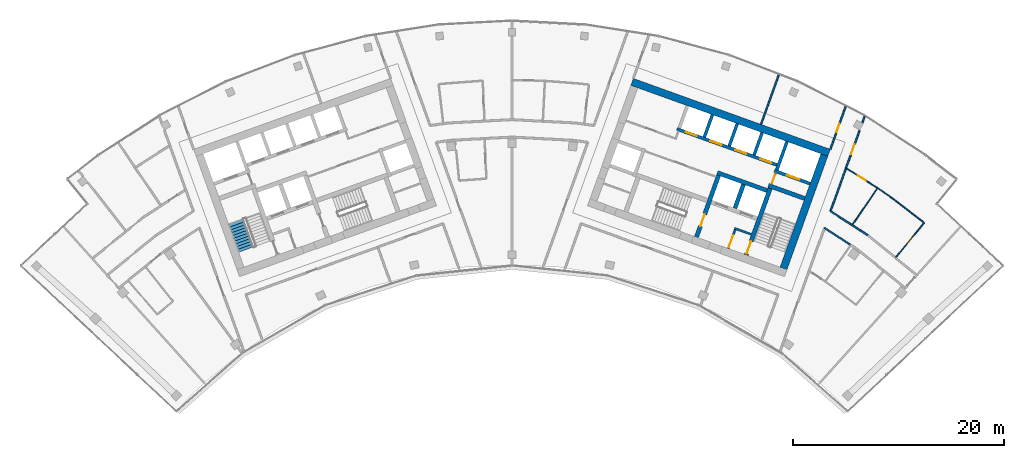
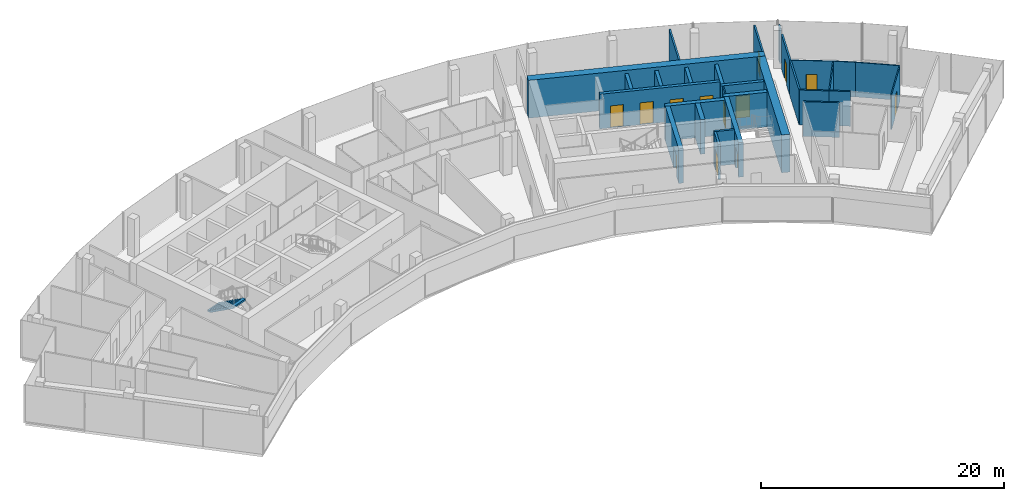
# One storey, part 16 of 18: 29 walls, 13 doors, 1 stair flight, 13 openings, 1 element without a shape of its own.
"""IFC4 building model written with IfcOpenShell, lengths in metres."""

import ifcopenshell
import ifcopenshell.guid

model = None  # the IFC model being written
_history = None  # IfcOwnerHistory: only IFC2X3 demands one
_inside = {}  # id of a spatial element -> (the spatial element, [elements in it])
_under = {}  # id of a project, library or spatial element -> (it, [spatial elements below it])
_declared = {}  # id of a project -> (the project, [libraries it declares])
_typed = {}  # id of a type object -> (the type object, [elements of that type])
_made_of = {}  # id of a material, layer set ... -> (it, [elements and type objects made of it])


def new_model(schema):
    """Start an empty IFC model of exactly this schema.

    Asked for "IFC4X3", IfcOpenShell would pick the latest addendum, in which some entities
    have other attributes; the version numbers below select the first issue.
    IFC2X3 requires an IfcOwnerHistory on every rooted entity: one is made here for all.
    """
    global model, _history
    if schema == "IFC4X3":
        model = ifcopenshell.file(schema_version=(4, 3, 0, 0))
    else:
        model = ifcopenshell.file(schema=schema)
    _inside.clear()
    _under.clear()
    _declared.clear()
    _typed.clear()
    _made_of.clear()
    _history = None
    if model.schema == "IFC2X3":
        org = make("IfcOrganization", Name="unknown")
        user = make(
            "IfcPersonAndOrganization",
            ThePerson=make("IfcPerson", FamilyName="unknown"),
            TheOrganization=org,
        )
        app = make(
            "IfcApplication",
            ApplicationDeveloper=org,
            Version="unknown",
            ApplicationFullName="unknown",
            ApplicationIdentifier="unknown",
        )
        _history = make(
            "IfcOwnerHistory",
            OwningUser=user,
            OwningApplication=app,
            ChangeAction="ADDED",
            CreationDate=0,
        )
    return model


def make(cls, **values):
    """One entity of the class cls with the attributes given. An attribute that is None is left unset."""
    return model.create_entity(
        cls, **{name: value for name, value in values.items() if value is not None}
    )


def rooted(cls, **values):
    """An entity with a GlobalId (a new one), such as an element, a storey or a relation."""
    return make(cls, GlobalId=ifcopenshell.guid.new(), OwnerHistory=_history, **values)


def si_unit(unit_type, name, prefix=None):
    """IfcSIUnit, for example si_unit("LENGTHUNIT", "METRE", prefix="MILLI")."""
    return make("IfcSIUnit", UnitType=unit_type, Prefix=prefix, Name=name)


def assignment(units):
    """IfcUnitAssignment: the units of a project."""
    return None if units is None else make("IfcUnitAssignment", Units=units)


def point(xyz):
    """IfcCartesianPoint."""
    return None if xyz is None else make("IfcCartesianPoint", Coordinates=xyz)


def direction(xyz):
    """IfcDirection."""
    return None if xyz is None else make("IfcDirection", DirectionRatios=xyz)


def frame(location, z_axis=None, x_axis=None):
    """IfcAxis2Placement3D, a coordinate frame: its origin and axes. An axis left out is left unset."""
    return make(
        "IfcAxis2Placement3D",
        Location=point(location),
        Axis=direction(z_axis),
        RefDirection=direction(x_axis),
    )


def frame_2d(location, x_axis=None):
    """IfcAxis2Placement2D, a coordinate frame in the plane: its origin and x axis."""
    return make(
        "IfcAxis2Placement2D", Location=point(location), RefDirection=direction(x_axis)
    )


def origin():
    """The frame at (0, 0, 0) with its axes left unset."""
    return frame((0.0, 0.0, 0.0))


def place(relative_to, where):
    """IfcLocalPlacement: puts the frame where relative to a parent placement (None: the world)."""
    return make(
        "IfcLocalPlacement", PlacementRelTo=relative_to, RelativePlacement=where
    )


def context(
    kind, dimensions, precision=None, world=None, true_north=None, identifier=None
):
    """IfcGeometricRepresentationContext, for example the 3D "Model" context."""
    return make(
        "IfcGeometricRepresentationContext",
        ContextIdentifier=identifier,
        ContextType=kind,
        CoordinateSpaceDimension=dimensions,
        Precision=precision,
        WorldCoordinateSystem=world,
        TrueNorth=true_north,
    )


def subcontext(parent, identifier, kind, view, scale=None):
    """IfcGeometricRepresentationSubContext, for example "Body" below "Model"."""
    return make(
        "IfcGeometricRepresentationSubContext",
        ContextIdentifier=identifier,
        ContextType=kind,
        ParentContext=parent,
        TargetScale=scale,
        TargetView=view,
    )


def project(units=None, contexts=None):
    """IfcProject with its units and contexts."""
    return rooted(
        "IfcProject",
        Name="project",
        RepresentationContexts=contexts,
        UnitsInContext=assignment(units),
    )


def spatial(cls, under=None, at=None, **own):
    """A site, building, storey or space (cls), placed at a placement, below another one or the project."""
    s = rooted(cls, ObjectPlacement=at, **own)
    if under is not None:
        _under.setdefault(under.id(), (under, []))[1].append(s)
    return s


def polyline(points):
    """IfcPolyline through the points."""
    return make("IfcPolyline", Points=[point(p) for p in points])


def profile(cls, at=None, kind="AREA", **sizes):
    """A parametric profile (cls). Its sizes go by their IFC names, for example OverallWidth=200.0."""
    return make(cls, ProfileType=kind, Position=at, **sizes)


def rectangle(**sizes):
    """IfcRectangleProfileDef."""
    return profile("IfcRectangleProfileDef", **sizes)


def outline(outer, holes=None, kind="AREA"):
    """IfcArbitraryClosedProfileDef: a profile drawn as a closed curve; with holes, ...WithVoids."""
    if holes is None:
        return make("IfcArbitraryClosedProfileDef", ProfileType=kind, OuterCurve=outer)
    return make(
        "IfcArbitraryProfileDefWithVoids",
        ProfileType=kind,
        OuterCurve=outer,
        InnerCurves=holes,
    )


def extrude(swept, where, along, depth):
    """IfcExtrudedAreaSolid: the profile swept, set in the frame where, extruded along a direction by depth."""
    return make(
        "IfcExtrudedAreaSolid",
        SweptArea=swept,
        Position=where,
        ExtrudedDirection=direction(along),
        Depth=depth,
    )


def shape(context_of_items, identifier, shape_type, items):
    """IfcShapeRepresentation: the items that make up one representation, for example the "Body"."""
    return make(
        "IfcShapeRepresentation",
        ContextOfItems=context_of_items,
        RepresentationIdentifier=identifier,
        RepresentationType=shape_type,
        Items=items,
    )


def material(Name=None, Category=None):
    """IfcMaterial."""
    return make("IfcMaterial", Name=Name, Category=Category)


def layer(
    of_material, thickness, ventilated=None, Name=None, Category=None, Priority=None
):
    """IfcMaterialLayer: one layer of a wall or slab, of a material (None: an air gap)."""
    return make(
        "IfcMaterialLayer",
        Material=of_material,
        LayerThickness=thickness,
        IsVentilated=ventilated,
        Name=Name,
        Category=Category,
        Priority=Priority,
    )


def layer_set(layers, Name=None):
    """IfcMaterialLayerSet."""
    return make("IfcMaterialLayerSet", MaterialLayers=layers, LayerSetName=Name)


def made_of(thing, what):
    """Note that an element or type object is made of a material, layer set ...; save() writes the relation."""
    if what is not None:
        _made_of.setdefault(what.id(), (what, []))[1].append(thing)
    return thing


def type_object(cls, material=None, **own):
    """A type object (cls), such as IfcWallType, which elements share."""
    return made_of(rooted(cls, **own), material)


def element(
    cls,
    number,
    at=None,
    inside=None,
    cuts=None,
    type_object=None,
    material=None,
    context=None,
    identifier="Body",
    shape_type=None,
    held_by="IfcProductDefinitionShape",
    body=None,
    shapes=None,
    **own,
):
    """One element of the class cls, such as IfcWall. Its Tag is "e" and its number.

    at: its placement. inside: the storey or other place that contains it. cuts: it is an
    opening in that element (IfcRelVoidsElement). A single representation is given by context,
    identifier, shape_type and body (its items); several are given by shapes. held_by: the class
    of the entity that holds the representations. save() writes the other relations.
    """
    e = rooted(cls, Tag="e%d" % number, ObjectPlacement=at, **own)
    if body is not None:
        shapes = [shape(context, identifier, shape_type, body)]
    if shapes is not None:
        e.Representation = make(held_by, Representations=shapes)
    if inside is not None:
        _inside.setdefault(inside.id(), (inside, []))[1].append(e)
    if cuts is not None:
        rooted(
            "IfcRelVoidsElement", RelatingBuildingElement=cuts, RelatedOpeningElement=e
        )
    if type_object is not None:
        _typed.setdefault(type_object.id(), (type_object, []))[1].append(e)
    return made_of(e, material)


def fill(opening, filler):
    """IfcRelFillsElement: the door or window that sits in an opening."""
    return rooted(
        "IfcRelFillsElement",
        RelatingOpeningElement=opening,
        RelatedBuildingElement=filler,
    )


def aggregate(whole, parts):
    """IfcRelAggregates: a whole, such as a stair, and the parts it consists of."""
    return rooted("IfcRelAggregates", RelatingObject=whole, RelatedObjects=parts)


def save(model, path):
    """Write the relations noted so far, then the file.

    IfcRelAggregates (storeys below a building ...), IfcRelContainedInSpatialStructure (elements
    in a storey), IfcRelDefinesByType, IfcRelAssociatesMaterial and IfcRelDeclares: one each for
    every whole, place, type object, material and project.
    """
    for whole, parts in _under.values():
        aggregate(whole, parts)
    for where, things in _inside.values():
        rooted(
            "IfcRelContainedInSpatialStructure",
            RelatedElements=things,
            RelatingStructure=where,
        )
    for kind, things in _typed.values():
        rooted("IfcRelDefinesByType", RelatedObjects=things, RelatingType=kind)
    for what, things in _made_of.values():
        rooted("IfcRelAssociatesMaterial", RelatedObjects=things, RelatingMaterial=what)
    for by, libraries in _declared.values():
        rooted("IfcRelDeclares", RelatingContext=by, RelatedDefinitions=libraries)
    model.write(path)


model = new_model("IFC4")

# Units and contexts
model_context = context("Model", 3, precision=1e-05, world=origin(), true_north=direction((0.0, 1.0)))
body_context = subcontext(model_context, "Body", "Model", "MODEL_VIEW")
ifc_project = project(units=[si_unit("LENGTHUNIT", "METRE"), si_unit("AREAUNIT", "SQUARE_METRE"), si_unit("VOLUMEUNIT", "CUBIC_METRE"), si_unit("PLANEANGLEUNIT", "RADIAN"), si_unit("MASSUNIT", "GRAM", prefix="KILO")], contexts=[model_context])

# Site, building, storey
site_placement = place(None, origin())
site = spatial("IfcSite", under=ifc_project, at=site_placement, CompositionType="ELEMENT")
building_placement = place(site_placement, origin())
building = spatial("IfcBuilding", under=site, at=building_placement, Name="Stone Belt Terrace Tower", CompositionType="ELEMENT")
storey_placement = place(building_placement, frame((0.0, 0.0, 284.60009765625)))
storey = spatial("IfcBuildingStorey", under=building, at=storey_placement, Name="L69", CompositionType="ELEMENT", Elevation=284.60009765625)

# Wall, opening, door
ifc_material_1 = material(Name="Plasterboard partition")
ifc_layer_1 = layer(ifc_material_1, 0.10009765625)
ifc_layer_set_1 = layer_set([ifc_layer_1], Name="Core partition 100")
wall_type_1 = type_object("IfcWallType", Name="Core partition 100", PredefinedType="PARTITIONING", material=ifc_layer_set_1)
wall_1_placement = place(storey_placement, frame((24.555908203125, 51.10400390625, 0.0), z_axis=(0.0, 0.0, 1.0), x_axis=(0.338621735342, 0.94092258999, 0.0)))
wall_1 = element("IfcWall", 1, at=wall_1_placement, inside=storey, type_object=wall_type_1, Name="Core B wall", PredefinedType="PARTITIONING", context=body_context, shape_type="SweptSolid", body=[
    extrude(rectangle(XDim=1.14990234375, YDim=0.10009765625, at=frame_2d((0.574951171875, 0.0))), origin(), (0.0, 0.0, 1.0), 3.47998046875),
])
opening_1_placement = place(wall_1_placement, frame((0.050048828125, 0.0, 0.0)))
opening_1 = element("IfcOpeningElement", 2, at=opening_1_placement, cuts=wall_1, Name="Opening L69-C14", PredefinedType="OPENING", context=body_context, shape_type="SweptSolid", body=[
    extrude(rectangle(XDim=1.0, YDim=2.10009765625, at=frame_2d((0.5, 1.050048828125))), frame((0.0, 0.06005859375, 0.0), z_axis=(0.0, -1.0, 0.0), x_axis=(1.0, 0.0, 0.0)), (0.0, 0.0, 1.0), 0.1201171875),
])
ifc_material_2 = material(Name="Timber door leaf", Category="wood")
door_type_1 = type_object("IfcDoorType", Name="Core room door 1000", OperationType="SINGLE_SWING_LEFT", PredefinedType="DOOR", material=ifc_material_2)
door_1_placement = place(opening_1_placement, origin())
door_1 = element("IfcDoor", 3, at=door_1_placement, inside=storey, type_object=door_type_1, Name="Service lift lobby door core B", OperationType="SINGLE_SWING_LEFT", OverallHeight=2.10009765625, OverallWidth=1.0, PredefinedType="DOOR", context=body_context, shape_type="SweptSolid", body=[
    extrude(rectangle(XDim=1.0, YDim=2.10009765625, at=frame_2d((0.5, 1.050048828125))), frame((0.0, 0.02490234375, 0.0), z_axis=(0.0, -1.0, 0.0), x_axis=(1.0, 0.0, 0.0)), (0.0, 0.0, 1.0), 0.050048828125),
])
fill(opening_1, door_1)

# Walls
ifc_material_3 = material(Name="Concrete B60", Category="concrete")
ifc_layer_2 = layer(ifc_material_3, 0.699951171875)
ifc_layer_set_2 = layer_set([ifc_layer_2], Name="Core wall 700 B60")
wall_type_2 = type_object("IfcWallType", Name="Core wall 700 B60", PredefinedType="SHEAR", material=ifc_layer_set_2)
wall_2_placement = place(storey_placement, frame((11.35791015625, 60.795654296875, 0.0), z_axis=(0.0, 0.0, 1.0), x_axis=(0.940919787944, -0.33862952124, 0.0)))
element("IfcWall", 4, at=wall_2_placement, inside=storey, type_object=wall_type_2, Name="Core B wall convex L69", PredefinedType="SHEAR", context=body_context, shape_type="SweptSolid", body=[
    extrude(rectangle(XDim=19.7998046875, YDim=0.699951171875, at=frame_2d((9.89990234375, 0.0))), origin(), (0.0, 0.0, 1.0), 3.7998046875),
])
wall_3_placement = place(storey_placement, frame((25.679931640625, 43.153564453125, 0.0), z_axis=(0.0, 0.0, 1.0), x_axis=(0.338625431531, 0.940921259788, 0.0)))
element("IfcWall", 5, at=wall_3_placement, inside=storey, type_object=wall_type_2, Name="Core B wall end_b L69", PredefinedType="SHEAR", context=body_context, shape_type="SweptSolid", body=[
    extrude(rectangle(XDim=11.400146484375, YDim=0.699951171875, at=frame_2d((5.7001953125, 0.0))), origin(), (0.0, 0.0, 1.0), 3.7998046875),
])
ifc_material_4 = material(Name="Concrete B80", Category="concrete")
ifc_layer_3 = layer(ifc_material_4, 0.39990234375)
ifc_layer_set_3 = layer_set([ifc_layer_3], Name="Fire-fighting lift shaft wall 400")
wall_type_3 = type_object("IfcWallType", Name="Fire-fighting lift shaft wall 400", PredefinedType="SHEAR", material=ifc_layer_set_3)
wall_4_placement = place(storey_placement, frame((24.130615234375, 50.512939453125, 0.0), z_axis=(0.0, 0.0, 1.0), x_axis=(-0.94091168377, 0.338652038744, 0.0)))
element("IfcWall", 6, at=wall_4_placement, inside=storey, type_object=wall_type_3, Name="Core B wall", PredefinedType="SHEAR", context=body_context, shape_type="SweptSolid", body=[
    extrude(rectangle(XDim=5.000244140625, YDim=0.39990234375, at=frame_2d((2.5, 0.0))), origin(), (0.0, 0.0, 1.0), 3.47998046875),
])
wall_5_placement = place(storey_placement, frame((21.0859375, 48.845458984375, 0.0), z_axis=(0.0, 0.0, 1.0), x_axis=(0.338629416206, 0.940919825745, 0.0)))
element("IfcWall", 7, at=wall_5_placement, inside=storey, type_object=wall_type_3, Name="Core B wall", PredefinedType="SHEAR", context=body_context, shape_type="SweptSolid", body=[
    extrude(rectangle(XDim=2.400146484375, YDim=0.39990234375, at=frame_2d((1.2001953125, 0.0))), origin(), (0.0, 0.0, 1.0), 3.47998046875),
])

# Wall, opening, door
ifc_layer_4 = layer(ifc_material_4, 0.300048828125)
ifc_layer_set_4 = layer_set([ifc_layer_4], Name="Lift shaft wall 300")
wall_type_4 = type_object("IfcWallType", Name="Lift shaft wall 300", PredefinedType="SHEAR", material=ifc_layer_set_4)
wall_6_placement = place(storey_placement, frame((28.195068359375, 51.17578125, 0.0), z_axis=(0.0, 0.0, 1.0), x_axis=(-0.940901243567, 0.338681044427, 0.0)))
wall_6 = element("IfcWall", 8, at=wall_6_placement, inside=storey, type_object=wall_type_4, Name="Core B wall", PredefinedType="SHEAR", context=body_context, shape_type="SweptSolid", body=[
    extrude(rectangle(XDim=3.599853515625, YDim=0.300048828125, at=frame_2d((1.7998046875, 0.0))), origin(), (0.0, 0.0, 1.0), 3.47998046875),
])
opening_2_placement = place(wall_6_placement, frame((1.1201171875, 0.0, 0.0)))
opening_2 = element("IfcOpeningElement", 9, at=opening_2_placement, cuts=wall_6, Name="Opening L69-LD14", PredefinedType="OPENING", context=body_context, shape_type="SweptSolid", body=[
    extrude(rectangle(XDim=1.199951171875, YDim=2.199951171875, at=frame_2d((0.60009765625, 1.10009765625))), frame((0.0, 0.159912109375, 0.0), z_axis=(0.0, -1.0, 0.0), x_axis=(1.0, 0.0, 0.0)), (0.0, 0.0, 1.0), 0.320068359375),
])
ifc_material_5 = material(Name="Stainless steel door leaf", Category="steel")
door_type_2 = type_object("IfcDoorType", Name="Landing door 1200", OperationType="SLIDING_TO_LEFT", PredefinedType="DOOR", material=ifc_material_5)
door_2_placement = place(opening_2_placement, origin())
door_2 = element("IfcDoor", 10, at=door_2_placement, inside=storey, type_object=door_type_2, Name="Landing door SV1 core B", OperationType="SLIDING_TO_LEFT", OverallHeight=2.199951171875, OverallWidth=1.199951171875, PredefinedType="DOOR", context=body_context, shape_type="SweptSolid", body=[
    extrude(rectangle(XDim=1.199951171875, YDim=2.199951171875, at=frame_2d((0.60009765625, 1.10009765625))), frame((0.0, 0.02490234375, 0.0), z_axis=(0.0, -1.0, 0.0), x_axis=(1.0, 0.0, 0.0)), (0.0, 0.0, 1.0), 0.050048828125),
])
fill(opening_2, door_2)

# Wall
wall_7_placement = place(storey_placement, frame((25.046875, 52.46826171875, 0.0), z_axis=(0.0, 0.0, 1.0), x_axis=(0.338549588058, 0.940948551423, 0.0)))
element("IfcWall", 11, at=wall_7_placement, inside=storey, type_object=wall_type_4, Name="Core B wall", PredefinedType="SHEAR", context=body_context, shape_type="SweptSolid", body=[
    extrude(rectangle(XDim=2.849853515625, YDim=0.300048828125, at=frame_2d((1.4248046875, 0.0))), origin(), (0.0, 0.0, 1.0), 3.47998046875),
])

# Wall, openings, doors
wall_8_placement = place(storey_placement, frame((25.05810546875, 52.9423828125, 0.0), z_axis=(0.0, 0.0, 1.0), x_axis=(-0.940917446785, 0.338636026339, 0.0)))
wall_8 = element("IfcWall", 12, at=wall_8_placement, inside=storey, type_object=wall_type_4, Name="Core B wall", PredefinedType="SHEAR", context=body_context, shape_type="SweptSolid", body=[
    extrude(rectangle(XDim=10.050048828125, YDim=0.300048828125, at=frame_2d((5.02490234375, 0.0))), origin(), (0.0, 0.0, 1.0), 3.47998046875),
])
opening_3_placement = place(wall_8_placement, frame((0.570068359375, 0.0, 0.0)))
opening_3 = element("IfcOpeningElement", 13, at=opening_3_placement, cuts=wall_8, Name="Opening L69-LD08", PredefinedType="OPENING", context=body_context, shape_type="SweptSolid", body=[
    extrude(rectangle(XDim=1.10009765625, YDim=2.199951171875, at=frame_2d((0.550048828125, 1.10009765625))), frame((0.0, 0.159912109375, 0.0), z_axis=(0.0, -1.0, 0.0), x_axis=(1.0, 0.0, 0.0)), (0.0, 0.0, 1.0), 0.320068359375),
])
opening_4_placement = place(wall_8_placement, frame((3.070068359375, 0.0, 0.0)))
opening_4 = element("IfcOpeningElement", 14, at=opening_4_placement, cuts=wall_8, Name="Opening L69-LD09", PredefinedType="OPENING", context=body_context, shape_type="SweptSolid", body=[
    extrude(rectangle(XDim=1.10009765625, YDim=2.199951171875, at=frame_2d((0.550048828125, 1.10009765625))), frame((0.0, 0.159912109375, 0.0), z_axis=(0.0, -1.0, 0.0), x_axis=(1.0, 0.0, 0.0)), (0.0, 0.0, 1.0), 0.320068359375),
])
opening_5_placement = place(wall_8_placement, frame((5.570068359375, 0.0, 0.0)))
opening_5 = element("IfcOpeningElement", 15, at=opening_5_placement, cuts=wall_8, Name="Opening L69-LD10", PredefinedType="OPENING", context=body_context, shape_type="SweptSolid", body=[
    extrude(rectangle(XDim=1.10009765625, YDim=2.199951171875, at=frame_2d((0.550048828125, 1.10009765625))), frame((0.0, 0.159912109375, 0.0), z_axis=(0.0, -1.0, 0.0), x_axis=(1.0, 0.0, 0.0)), (0.0, 0.0, 1.0), 0.320068359375),
])
opening_6_placement = place(wall_8_placement, frame((8.070068359375, 0.0, 0.0)))
opening_6 = element("IfcOpeningElement", 16, at=opening_6_placement, cuts=wall_8, Name="Opening L69-LD11", PredefinedType="OPENING", context=body_context, shape_type="SweptSolid", body=[
    extrude(rectangle(XDim=1.10009765625, YDim=2.199951171875, at=frame_2d((0.550048828125, 1.10009765625))), frame((0.0, 0.159912109375, 0.0), z_axis=(0.0, -1.0, 0.0), x_axis=(1.0, 0.0, 0.0)), (0.0, 0.0, 1.0), 0.320068359375),
])
door_type_3 = type_object("IfcDoorType", Name="Landing door 1100", OperationType="SLIDING_TO_LEFT", PredefinedType="DOOR", material=ifc_material_5)
door_3_placement = place(opening_3_placement, origin())
door_3 = element("IfcDoor", 17, at=door_3_placement, inside=storey, type_object=door_type_3, Name="Landing door HR1 core B", OperationType="SLIDING_TO_LEFT", OverallHeight=2.199951171875, OverallWidth=1.10009765625, PredefinedType="DOOR", context=body_context, shape_type="SweptSolid", body=[
    extrude(rectangle(XDim=1.10009765625, YDim=2.199951171875, at=frame_2d((0.550048828125, 1.10009765625))), frame((0.0, 0.02490234375, 0.0), z_axis=(0.0, -1.0, 0.0), x_axis=(1.0, 0.0, 0.0)), (0.0, 0.0, 1.0), 0.050048828125),
])
fill(opening_3, door_3)
door_4_placement = place(opening_4_placement, origin())
door_4 = element("IfcDoor", 18, at=door_4_placement, inside=storey, type_object=door_type_3, Name="Landing door HR2 core B", OperationType="SLIDING_TO_LEFT", OverallHeight=2.199951171875, OverallWidth=1.10009765625, PredefinedType="DOOR", context=body_context, shape_type="SweptSolid", body=[
    extrude(rectangle(XDim=1.10009765625, YDim=2.199951171875, at=frame_2d((0.550048828125, 1.10009765625))), frame((0.0, 0.02490234375, 0.0), z_axis=(0.0, -1.0, 0.0), x_axis=(1.0, 0.0, 0.0)), (0.0, 0.0, 1.0), 0.050048828125),
])
fill(opening_4, door_4)
door_5_placement = place(opening_5_placement, origin())
door_5 = element("IfcDoor", 19, at=door_5_placement, inside=storey, type_object=door_type_3, Name="Landing door HR3 core B", OperationType="SLIDING_TO_LEFT", OverallHeight=2.199951171875, OverallWidth=1.10009765625, PredefinedType="DOOR", context=body_context, shape_type="SweptSolid", body=[
    extrude(rectangle(XDim=1.10009765625, YDim=2.199951171875, at=frame_2d((0.550048828125, 1.10009765625))), frame((0.0, 0.02490234375, 0.0), z_axis=(0.0, -1.0, 0.0), x_axis=(1.0, 0.0, 0.0)), (0.0, 0.0, 1.0), 0.050048828125),
])
fill(opening_5, door_5)
door_6_placement = place(opening_6_placement, origin())
door_6 = element("IfcDoor", 20, at=door_6_placement, inside=storey, type_object=door_type_3, Name="Landing door HR4 core B", OperationType="SLIDING_TO_LEFT", OverallHeight=2.199951171875, OverallWidth=1.10009765625, PredefinedType="DOOR", context=body_context, shape_type="SweptSolid", body=[
    extrude(rectangle(XDim=1.10009765625, YDim=2.199951171875, at=frame_2d((0.550048828125, 1.10009765625))), frame((0.0, 0.02490234375, 0.0), z_axis=(0.0, -1.0, 0.0), x_axis=(1.0, 0.0, 0.0)), (0.0, 0.0, 1.0), 0.050048828125),
])
fill(opening_6, door_6)

# Walls
wall_9_placement = place(storey_placement, frame((22.897705078125, 53.87939453125, 0.0), z_axis=(0.0, 0.0, 1.0), x_axis=(0.338535034312, 0.940953787677, 0.0)))
element("IfcWall", 21, at=wall_9_placement, inside=storey, type_object=wall_type_4, Name="Core B wall", PredefinedType="SHEAR", context=body_context, shape_type="SweptSolid", body=[
    extrude(rectangle(XDim=2.25, YDim=0.300048828125, at=frame_2d((1.125, 0.0))), origin(), (0.0, 0.0, 1.0), 3.47998046875),
])
wall_10_placement = place(storey_placement, frame((20.54541015625, 54.72607421875, 0.0), z_axis=(0.0, 0.0, 1.0), x_axis=(0.338569601369, 0.940941350472, 0.0)))
element("IfcWall", 22, at=wall_10_placement, inside=storey, type_object=wall_type_4, Name="Core B wall", PredefinedType="SHEAR", context=body_context, shape_type="SweptSolid", body=[
    extrude(rectangle(XDim=2.249755859375, YDim=0.300048828125, at=frame_2d((1.125, 0.0))), origin(), (0.0, 0.0, 1.0), 3.47998046875),
])
wall_11_placement = place(storey_placement, frame((18.193115234375, 55.572509765625, 0.0), z_axis=(0.0, 0.0, 1.0), x_axis=(0.338535034312, 0.940953787677, 0.0)))
element("IfcWall", 23, at=wall_11_placement, inside=storey, type_object=wall_type_4, Name="Core B wall", PredefinedType="SHEAR", context=body_context, shape_type="SweptSolid", body=[
    extrude(rectangle(XDim=2.25, YDim=0.300048828125, at=frame_2d((1.125, 0.0))), origin(), (0.0, 0.0, 1.0), 3.47998046875),
])

# Wall, opening, door
ifc_material_6 = material(Name="Gypsum board partition")
ifc_layer_5 = layer(ifc_material_6, 0.10009765625)
ifc_layer_set_5 = layer_set([ifc_layer_5], Name="PARTITION 100")
wall_type_5 = type_object("IfcWallType", Name="PARTITION 100", PredefinedType="PARTITIONING", material=ifc_layer_set_5)
wall_12_placement = place(storey_placement, frame((34.574951171875, 50.76611328125, 0.0), z_axis=(0.0, 0.0, 1.0), x_axis=(-0.846867491555, 0.531803959883, 0.0)))
wall_12 = element("IfcWall", 24, at=wall_12_placement, inside=storey, type_object=wall_type_5, Name="L69/wall/i074", PredefinedType="PARTITIONING", context=body_context, shape_type="SweptSolid", body=[
    extrude(rectangle(XDim=3.5234375, YDim=0.10009765625, at=frame_2d((1.76171875, 0.0))), origin(), (0.0, 0.0, 1.0), 3.47998046875),
])
opening_7_placement = place(wall_12_placement, frame((1.311767578125, 0.0, 0.0)))
opening_7 = element("IfcOpeningElement", 25, at=opening_7_placement, cuts=wall_12, Name="Opening D-E3-22", PredefinedType="OPENING", context=body_context, shape_type="SweptSolid", body=[
    extrude(rectangle(XDim=0.89990234375, YDim=2.10009765625, at=frame_2d((0.449951171875, 1.050048828125))), frame((0.0, 0.06005859375, 0.0), z_axis=(0.0, -1.0, 0.0), x_axis=(1.0, 0.0, 0.0)), (0.0, 0.0, 1.0), 0.1201171875),
])
door_type_4 = type_object("IfcDoorType", Name="OFFICE DOOR 900 X 2100", OperationType="NOTDEFINED", PredefinedType="DOOR", material=ifc_material_2)
door_7_placement = place(opening_7_placement, origin())
door_7 = element("IfcDoor", 26, at=door_7_placement, inside=storey, type_object=door_type_4, Name="L69/door/i22", OperationType="SINGLE_SWING_RIGHT", OverallHeight=2.10009765625, OverallWidth=0.89990234375, PredefinedType="DOOR", context=body_context, shape_type="SweptSolid", body=[
    extrude(rectangle(XDim=0.89990234375, YDim=2.10009765625, at=frame_2d((0.449951171875, 1.050048828125))), frame((0.0, 0.02490234375, 0.0), z_axis=(0.0, -1.0, 0.0), x_axis=(1.0, 0.0, 0.0)), (0.0, 0.0, 1.0), 0.050048828125),
])
fill(opening_7, door_7)

wall_13_placement = place(storey_placement, frame((36.27099609375, 44.162109375, 0.0), z_axis=(0.0, 0.0, 1.0), x_axis=(0.634701662566, 0.772757270775, 0.0)))
wall_13 = element("IfcWall", 27, at=wall_13_placement, inside=storey, type_object=wall_type_5, Name="L69/wall/i075", PredefinedType="PARTITIONING", context=body_context, shape_type="SweptSolid", body=[
    extrude(rectangle(XDim=4.274169921875, YDim=0.10009765625, at=frame_2d((2.13720703125, 0.0))), origin(), (0.0, 0.0, 1.0), 3.47998046875),
])
opening_8_placement = place(wall_13_placement, frame((1.687255859375, 0.0, 0.0)))
opening_8 = element("IfcOpeningElement", 28, at=opening_8_placement, cuts=wall_13, Name="Opening D-E3-23", PredefinedType="OPENING", context=body_context, shape_type="SweptSolid", body=[
    extrude(rectangle(XDim=0.89990234375, YDim=2.10009765625, at=frame_2d((0.449951171875, 1.050048828125))), frame((0.0, 0.06005859375, 0.0), z_axis=(0.0, -1.0, 0.0), x_axis=(1.0, 0.0, 0.0)), (0.0, 0.0, 1.0), 0.1201171875),
])
door_8_placement = place(opening_8_placement, origin())
door_8 = element("IfcDoor", 29, at=door_8_placement, inside=storey, type_object=door_type_4, Name="L69/door/i23", OperationType="SINGLE_SWING_RIGHT", OverallHeight=2.10009765625, OverallWidth=0.89990234375, PredefinedType="DOOR", context=body_context, shape_type="SweptSolid", body=[
    extrude(rectangle(XDim=0.89990234375, YDim=2.10009765625, at=frame_2d((0.449951171875, 1.050048828125))), frame((0.0, 0.02490234375, 0.0), z_axis=(0.0, -1.0, 0.0), x_axis=(1.0, 0.0, 0.0)), (0.0, 0.0, 1.0), 0.050048828125),
])
fill(opening_8, door_8)

# Walls
wall_14_placement = place(storey_placement, frame((38.98388671875, 47.465087890625, 0.0), z_axis=(0.0, 0.0, 1.0), x_axis=(-0.791323345366, 0.611397876246, 0.0)))
element("IfcWall", 30, at=wall_14_placement, inside=storey, type_object=wall_type_5, Name="L69/wall/i076", PredefinedType="PARTITIONING", context=body_context, shape_type="SweptSolid", body=[
    extrude(rectangle(XDim=3.640625, YDim=0.10009765625, at=frame_2d((1.8203125, 0.0))), origin(), (0.0, 0.0, 1.0), 3.47998046875),
])
wall_15_placement = place(storey_placement, frame((36.10302734375, 49.69091796875, 0.0), z_axis=(0.0, 0.0, 1.0), x_axis=(-0.817836027764, 0.57545132869, 0.0)))
element("IfcWall", 31, at=wall_15_placement, inside=storey, type_object=wall_type_5, Name="L69/wall/i077", PredefinedType="PARTITIONING", context=body_context, shape_type="SweptSolid", body=[
    extrude(rectangle(XDim=1.868408203125, YDim=0.10009765625, at=frame_2d((0.93408203125, 0.0))), origin(), (0.0, 0.0, 1.0), 3.47998046875),
])
wall_16_placement = place(storey_placement, frame((34.574951171875, 50.76611328125, 0.0), z_axis=(0.0, 0.0, 1.0), x_axis=(-0.56276598826, -0.826616260703, 0.0)))
element("IfcWall", 32, at=wall_16_placement, inside=storey, type_object=wall_type_5, Name="L69/wall/i078", PredefinedType="PARTITIONING", context=body_context, shape_type="SweptSolid", body=[
    extrude(rectangle(XDim=4.260986328125, YDim=0.10009765625, at=frame_2d((2.13037109375, 0.0))), origin(), (0.0, 0.0, 1.0), 3.47998046875),
])

# Wall, opening, door
ifc_layer_6 = layer(ifc_material_6, 0.14990234375)
ifc_layer_set_6 = layer_set([ifc_layer_6], Name="PARTITION 150 EI 60")
wall_type_6 = type_object("IfcWallType", Name="PARTITION 150 EI 60", PredefinedType="PARTITIONING", material=ifc_layer_set_6)
wall_17_placement = place(storey_placement, frame((30.10595703125, 54.419921875, 0.0), z_axis=(0.0, 0.0, 1.0), x_axis=(0.338580264222, 0.940937513695, 0.0)))
wall_17 = element("IfcWall", 33, at=wall_17_placement, inside=storey, type_object=wall_type_6, Name="L69/wall/i022", PredefinedType="PARTITIONING", context=body_context, shape_type="SweptSolid", body=[
    extrude(rectangle(XDim=4.285400390625, YDim=0.14990234375, at=frame_2d((2.142578125, 0.0))), origin(), (0.0, 0.0, 1.0), 3.47998046875),
])
opening_9_placement = place(wall_17_placement, frame((1.74267578125, 0.0, 0.0)))
opening_9 = element("IfcOpeningElement", 34, at=opening_9_placement, cuts=wall_17, Name="Opening D-E3-08", PredefinedType="OPENING", context=body_context, shape_type="SweptSolid", body=[
    extrude(rectangle(XDim=0.800048828125, YDim=2.10009765625, at=frame_2d((0.39990234375, 1.050048828125))), frame((0.0, 0.0849609375, 0.0), z_axis=(0.0, -1.0, 0.0), x_axis=(1.0, 0.0, 0.0)), (0.0, 0.0, 1.0), 0.169921875),
])
door_type_5 = type_object("IfcDoorType", Name="STORE DOOR 800 X 2100", OperationType="NOTDEFINED", PredefinedType="DOOR", material=ifc_material_2)
door_9_placement = place(opening_9_placement, origin())
door_9 = element("IfcDoor", 35, at=door_9_placement, inside=storey, type_object=door_type_5, Name="L69/door/i08", OperationType="SINGLE_SWING_RIGHT", OverallHeight=2.10009765625, OverallWidth=0.800048828125, PredefinedType="DOOR", context=body_context, shape_type="SweptSolid", body=[
    extrude(rectangle(XDim=0.800048828125, YDim=2.10009765625, at=frame_2d((0.39990234375, 1.050048828125))), frame((0.0, 0.02490234375, 0.0), z_axis=(0.0, -1.0, 0.0), x_axis=(1.0, 0.0, 0.0)), (0.0, 0.0, 1.0), 0.050048828125),
])
fill(opening_9, door_9)

# Wall
wall_18_placement = place(storey_placement, frame((33.348876953125, 57.523193359375, 0.0), z_axis=(0.0, 0.0, 1.0), x_axis=(-0.338733145318, -0.94088248802, 0.0)))
element("IfcWall", 36, at=wall_18_placement, inside=storey, type_object=wall_type_6, Name="L69/wall/i026", PredefinedType="PARTITIONING", context=body_context, shape_type="SweptSolid", body=[
    extrude(rectangle(XDim=0.632080078125, YDim=0.14990234375, at=frame_2d((0.31591796875, 0.0))), origin(), (0.0, 0.0, 1.0), 3.47998046875),
])

# Wall, opening, door
wall_19_placement = place(storey_placement, frame((32.875244140625, 56.20703125, 0.0), z_axis=(0.0, 0.0, 1.0), x_axis=(-0.338685319114, -0.940899704866, 0.0)))
wall_19 = element("IfcWall", 37, at=wall_19_placement, inside=storey, type_object=wall_type_6, Name="L69/wall/i027", PredefinedType="PARTITIONING", context=body_context, shape_type="SweptSolid", body=[
    extrude(rectangle(XDim=3.79736328125, YDim=0.14990234375, at=frame_2d((1.898681640625, 0.0))), origin(), (0.0, 0.0, 1.0), 3.47998046875),
])
opening_10_placement = place(wall_19_placement, frame((1.398681640625, 0.0, 0.0)))
opening_10 = element("IfcOpeningElement", 38, at=opening_10_placement, cuts=wall_19, Name="Opening D-E3-21", PredefinedType="OPENING", context=body_context, shape_type="SweptSolid", body=[
    extrude(rectangle(XDim=1.0, YDim=2.10009765625, at=frame_2d((0.5, 1.050048828125))), frame((0.0, 0.0849609375, 0.0), z_axis=(0.0, -1.0, 0.0), x_axis=(1.0, 0.0, 0.0)), (0.0, 0.0, 1.0), 0.169921875),
])
ifc_material_7 = material(Name="Timber fire door leaf", Category="wood")
door_type_6 = type_object("IfcDoorType", Name="TENANCY ENTRANCE DOOR 1000 X 2100", OperationType="NOTDEFINED", PredefinedType="DOOR", material=ifc_material_7)
door_10_placement = place(opening_10_placement, origin())
door_10 = element("IfcDoor", 39, at=door_10_placement, inside=storey, type_object=door_type_6, Name="L69/door/i21", OperationType="SINGLE_SWING_RIGHT", OverallHeight=2.10009765625, OverallWidth=1.0, PredefinedType="DOOR", context=body_context, shape_type="SweptSolid", body=[
    extrude(rectangle(XDim=1.0, YDim=2.10009765625, at=frame_2d((0.5, 1.050048828125))), frame((0.0, 0.02490234375, 0.0), z_axis=(0.0, -1.0, 0.0), x_axis=(1.0, 0.0, 0.0)), (0.0, 0.0, 1.0), 0.050048828125),
])
fill(opening_10, door_10)

# Walls
wall_20_placement = place(storey_placement, frame((31.593017578125, 52.64599609375, 0.0), z_axis=(0.0, 0.0, 1.0), x_axis=(-0.338515984697, -0.940960641103, 0.0)))
element("IfcWall", 40, at=wall_20_placement, inside=storey, type_object=wall_type_6, Name="L69/wall/i028", PredefinedType="PARTITIONING", context=body_context, shape_type="SweptSolid", body=[
    extrude(rectangle(XDim=4.333740234375, YDim=0.14990234375, at=frame_2d((2.1669921875, 0.0))), origin(), (0.0, 0.0, 1.0), 3.47998046875),
])
wall_21_placement = place(storey_placement, frame((25.227783203125, 61.448974609375, 0.0), z_axis=(0.0, 0.0, 1.0), x_axis=(-0.338580053175, -0.940937589637, 0.0)))
element("IfcWall", 41, at=wall_21_placement, inside=storey, type_object=wall_type_6, Name="L69/wall/i033", PredefinedType="PARTITIONING", context=body_context, shape_type="SweptSolid", body=[
    extrude(rectangle(XDim=4.9609375, YDim=0.14990234375, at=frame_2d((2.48046875, 0.0))), origin(), (0.0, 0.0, 1.0), 3.47998046875),
])
wall_22_placement = place(storey_placement, frame((32.056884765625, 45.35693359375, 0.0), z_axis=(0.0, 0.0, 1.0), x_axis=(-0.838787531039, 0.544458885292, 0.0)))
element("IfcWall", 42, at=wall_22_placement, inside=storey, type_object=wall_type_6, Name="L69/wall/i062", PredefinedType="PARTITIONING", context=body_context, shape_type="SweptSolid", body=[
    extrude(rectangle(XDim=2.98291015625, YDim=0.14990234375, at=frame_2d((1.491455078125, 0.0))), origin(), (0.0, 0.0, 1.0), 3.47998046875),
])
wall_23_placement = place(storey_placement, frame((30.1279296875, 48.573974609375, 0.0), z_axis=(0.0, 0.0, 1.0), x_axis=(0.838828388749, -0.544395935168, 0.0)))
element("IfcWall", 43, at=wall_23_placement, inside=storey, type_object=wall_type_6, Name="L69/wall/i066", PredefinedType="PARTITIONING", context=body_context, shape_type="SweptSolid", body=[
    extrude(rectangle(XDim=2.448486328125, YDim=0.14990234375, at=frame_2d((1.22412109375, 0.0))), origin(), (0.0, 0.0, 1.0), 3.47998046875),
])
wall_24_placement = place(storey_placement, frame((32.172119140625, 47.2470703125, 0.0), z_axis=(0.0, 0.0, 1.0), x_axis=(0.838533068875, -0.544850706527, 0.0)))
element("IfcWall", 44, at=wall_24_placement, inside=storey, type_object=wall_type_6, Name="L69/wall/i067", PredefinedType="PARTITIONING", context=body_context, shape_type="SweptSolid", body=[
    extrude(rectangle(XDim=1.745849609375, YDim=0.14990234375, at=frame_2d((0.873046875, 0.0))), origin(), (0.0, 0.0, 1.0), 3.47998046875),
])
ifc_material_8 = material(Name="Concrete masonry block", Category="masonry")
ifc_layer_7 = layer(ifc_material_8, 0.199951171875)
ifc_layer_set_7 = layer_set([ifc_layer_7], Name="Rated lobby wall 200")
wall_type_7 = type_object("IfcWallType", Name="Rated lobby wall 200", PredefinedType="PARTITIONING", material=ifc_layer_set_7)
wall_25_placement = place(storey_placement, frame((22.640625, 46.373046875, 0.0), z_axis=(0.0, 0.0, 1.0), x_axis=(-0.940966110313, 0.338500781747, 0.0)))
element("IfcWall", 45, at=wall_25_placement, inside=storey, type_object=wall_type_7, Name="Core B wall", PredefinedType="PARTITIONING", context=body_context, shape_type="SweptSolid", body=[
    extrude(rectangle(XDim=1.699951171875, YDim=0.199951171875, at=frame_2d((0.85009765625, 0.0))), origin(), (0.0, 0.0, 1.0), 3.47998046875),
])

# Wall, opening, door
wall_26_placement = place(storey_placement, frame((20.4580078125, 45.032958984375, 0.0), z_axis=(0.0, 0.0, 1.0), x_axis=(0.338573865316, 0.940939816208, 0.0)))
wall_26 = element("IfcWall", 46, at=wall_26_placement, inside=storey, type_object=wall_type_7, Name="Core B wall", PredefinedType="PARTITIONING", context=body_context, shape_type="SweptSolid", body=[
    extrude(rectangle(XDim=1.900146484375, YDim=0.199951171875, at=frame_2d((0.9501953125, 0.0))), origin(), (0.0, 0.0, 1.0), 3.47998046875),
])
opening_11_placement = place(wall_26_placement, frame((0.14990234375, 0.0, 0.0)))
opening_11 = element("IfcOpeningElement", 47, at=opening_11_placement, cuts=wall_26, Name="Opening L69-C17", PredefinedType="OPENING", context=body_context, shape_type="SweptSolid", body=[
    extrude(rectangle(XDim=1.199951171875, YDim=2.10009765625, at=frame_2d((0.60009765625, 1.050048828125))), frame((0.0, 0.10986328125, 0.0), z_axis=(0.0, -1.0, 0.0), x_axis=(1.0, 0.0, 0.0)), (0.0, 0.0, 1.0), 0.219970703125),
])
ifc_material_9 = material(Name="Steel door leaf", Category="steel")
door_type_7 = type_object("IfcDoorType", Name="Stair door 1200", OperationType="SINGLE_SWING_LEFT", PredefinedType="DOOR", material=ifc_material_9)
door_11_placement = place(opening_11_placement, origin())
door_11 = element("IfcDoor", 48, at=door_11_placement, inside=storey, type_object=door_type_7, Name="Stair airlock door core B", OperationType="SINGLE_SWING_LEFT", OverallHeight=2.10009765625, OverallWidth=1.199951171875, PredefinedType="DOOR", context=body_context, shape_type="SweptSolid", body=[
    extrude(rectangle(XDim=1.199951171875, YDim=2.10009765625, at=frame_2d((0.60009765625, 1.050048828125))), frame((0.0, 0.02490234375, 0.0), z_axis=(0.0, -1.0, 0.0), x_axis=(1.0, 0.0, 0.0)), (0.0, 0.0, 1.0), 0.050048828125),
])
fill(opening_11, door_11)

# Wall
ifc_layer_8 = layer(ifc_material_4, 0.39990234375)
ifc_layer_set_8 = layer_set([ifc_layer_8], Name="Stair enclosure wall 400")
wall_type_8 = type_object("IfcWallType", Name="Stair enclosure wall 400", PredefinedType="SHEAR", material=ifc_layer_set_8)
wall_27_placement = place(storey_placement, frame((27.687255859375, 49.764404296875, 0.0), z_axis=(0.0, 0.0, 1.0), x_axis=(-0.940918954884, 0.338631835981, 0.0)))
element("IfcWall", 49, at=wall_27_placement, inside=storey, type_object=wall_type_8, Name="Core B wall", PredefinedType="SHEAR", context=body_context, shape_type="SweptSolid", body=[
    extrude(rectangle(XDim=3.650146484375, YDim=0.39990234375, at=frame_2d((1.8251953125, 0.0))), origin(), (0.0, 0.0, 1.0), 3.47998046875),
])

# Wall, opening, door
wall_28_placement = place(storey_placement, frame((22.151611328125, 44.42333984375, 0.0), z_axis=(0.0, 0.0, 1.0), x_axis=(0.338625272931, 0.940921316866, 0.0)))
wall_28 = element("IfcWall", 50, at=wall_28_placement, inside=storey, type_object=wall_type_8, Name="Core B wall", PredefinedType="SHEAR", context=body_context, shape_type="SweptSolid", body=[
    extrude(rectangle(XDim=6.699951171875, YDim=0.39990234375, at=frame_2d((3.35009765625, 0.0))), origin(), (0.0, 0.0, 1.0), 3.47998046875),
])
opening_12_placement = place(wall_28_placement, frame((0.14990234375, 0.0, 0.0)))
opening_12 = element("IfcOpeningElement", 51, at=opening_12_placement, cuts=wall_28, Name="Opening L69-C16", PredefinedType="OPENING", context=body_context, shape_type="SweptSolid", body=[
    extrude(rectangle(XDim=1.199951171875, YDim=2.10009765625, at=frame_2d((0.60009765625, 1.050048828125))), frame((0.0, 0.2099609375, 0.0), z_axis=(0.0, -1.0, 0.0), x_axis=(1.0, 0.0, 0.0)), (0.0, 0.0, 1.0), 0.419921875),
])
door_12_placement = place(opening_12_placement, origin())
door_12 = element("IfcDoor", 52, at=door_12_placement, inside=storey, type_object=door_type_7, Name="Stair 1 door core B", OperationType="SINGLE_SWING_LEFT", OverallHeight=2.10009765625, OverallWidth=1.199951171875, PredefinedType="DOOR", context=body_context, shape_type="SweptSolid", body=[
    extrude(rectangle(XDim=1.199951171875, YDim=2.10009765625, at=frame_2d((0.60009765625, 1.050048828125))), frame((0.0, 0.02490234375, 0.0), z_axis=(0.0, -1.0, 0.0), x_axis=(1.0, 0.0, 0.0)), (0.0, 0.0, 1.0), 0.050048828125),
])
fill(opening_12, door_12)

wall_29_placement = place(storey_placement, frame((17.447021484375, 46.116455078125, 0.0), z_axis=(0.0, 0.0, 1.0), x_axis=(0.33860791464, 0.940927563707, 0.0)))
wall_29 = element("IfcWall", 53, at=wall_29_placement, inside=storey, type_object=wall_type_8, Name="Core B wall", PredefinedType="SHEAR", context=body_context, shape_type="SweptSolid", body=[
    extrude(rectangle(XDim=6.199951171875, YDim=0.39990234375, at=frame_2d((3.10009765625, 0.0))), origin(), (0.0, 0.0, 1.0), 3.47998046875),
])
opening_13_placement = place(wall_29_placement, frame((1.10009765625, 0.0, 0.0)))
opening_13 = element("IfcOpeningElement", 54, at=opening_13_placement, cuts=wall_29, Name="Opening L69-C19", PredefinedType="OPENING", context=body_context, shape_type="SweptSolid", body=[
    extrude(rectangle(XDim=1.199951171875, YDim=2.10009765625, at=frame_2d((0.60009765625, 1.050048828125))), frame((0.0, 0.2099609375, 0.0), z_axis=(0.0, -1.0, 0.0), x_axis=(1.0, 0.0, 0.0)), (0.0, 0.0, 1.0), 0.419921875),
])
door_13_placement = place(opening_13_placement, origin())
door_13 = element("IfcDoor", 55, at=door_13_placement, inside=storey, type_object=door_type_7, Name="Stair 2 door core B", OperationType="SINGLE_SWING_LEFT", OverallHeight=2.10009765625, OverallWidth=1.199951171875, PredefinedType="DOOR", context=body_context, shape_type="SweptSolid", body=[
    extrude(rectangle(XDim=1.199951171875, YDim=2.10009765625, at=frame_2d((0.60009765625, 1.050048828125))), frame((0.0, 0.02490234375, 0.0), z_axis=(0.0, -1.0, 0.0), x_axis=(1.0, 0.0, 0.0)), (0.0, 0.0, 1.0), 0.050048828125),
])
fill(opening_13, door_13)

# Stair, stair flight
ifc_material_10 = material(Name="Concrete B40", Category="concrete")
stair_type = type_object("IfcStairType", Name="Exit stair 1500", PredefinedType="HALF_TURN_STAIR", material=ifc_material_10)
stair_placement = place(storey_placement, origin())
stair = element("IfcStair", 56, at=stair_placement, inside=storey, type_object=stair_type, Name="L69 Exit stair 1 core A", PredefinedType="HALF_TURN_STAIR")
stair_flight_type = type_object("IfcStairFlightType", Name="Stair flight 1500", PredefinedType="STRAIGHT", material=ifc_material_10)
stair_flight_placement = place(storey_placement, frame((-26.10107421875, 47.572021484375, 1.89990234375), z_axis=(0.0, 0.0, 1.0), x_axis=(0.338624396177, -0.940921632398, 0.0)))
stair_flight = element("IfcStairFlight", 57, at=stair_flight_placement, type_object=stair_flight_type, Name="ST1A flight 2", NumberOfRisers=11, NumberOfTreads=10, PredefinedType="STRAIGHT", RiserHeight=0.172727273, TreadLength=0.28, context=body_context, shape_type="SweptSolid", body=[
    extrude(outline(polyline([(0.0, 0.0), (0.0, 0.172607421875), (0.280029296875, 0.172607421875), (0.280029296875, 0.345458984375), (0.56005859375, 0.345458984375), (0.56005859375, 0.51806640625), (0.840087890625, 0.51806640625), (0.840087890625, 0.69091796875), (1.1201171875, 0.69091796875), (1.1201171875, 0.863525390625), (1.39990234375, 0.863525390625), (1.39990234375, 1.036376953125), (1.679931640625, 1.036376953125), (1.679931640625, 1.208984375), (1.9599609375, 1.208984375), (1.9599609375, 1.3818359375), (2.239990234375, 1.3818359375), (2.239990234375, 1.554443359375), (2.52001953125, 1.554443359375), (2.52001953125, 1.727294921875), (2.800048828125, 1.727294921875), (2.800048828125, 1.89990234375), (2.800048828125, 1.551025390625), (0.285400390625, 0.0), (0.0, 0.0)])), frame((0.0, 0.75, 0.0), z_axis=(0.0, -1.0, 0.0), x_axis=(1.0, 0.0, 0.0)), (0.0, 0.0, 1.0), 1.5),
])
aggregate(stair, [stair_flight])

save(model, "model.ifc")
